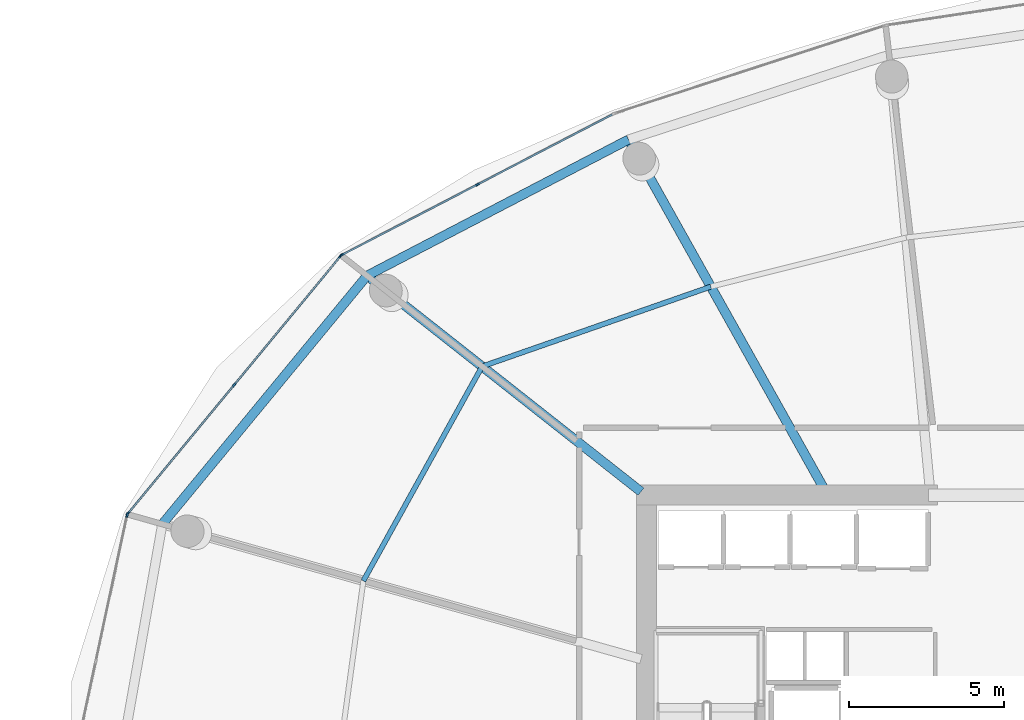
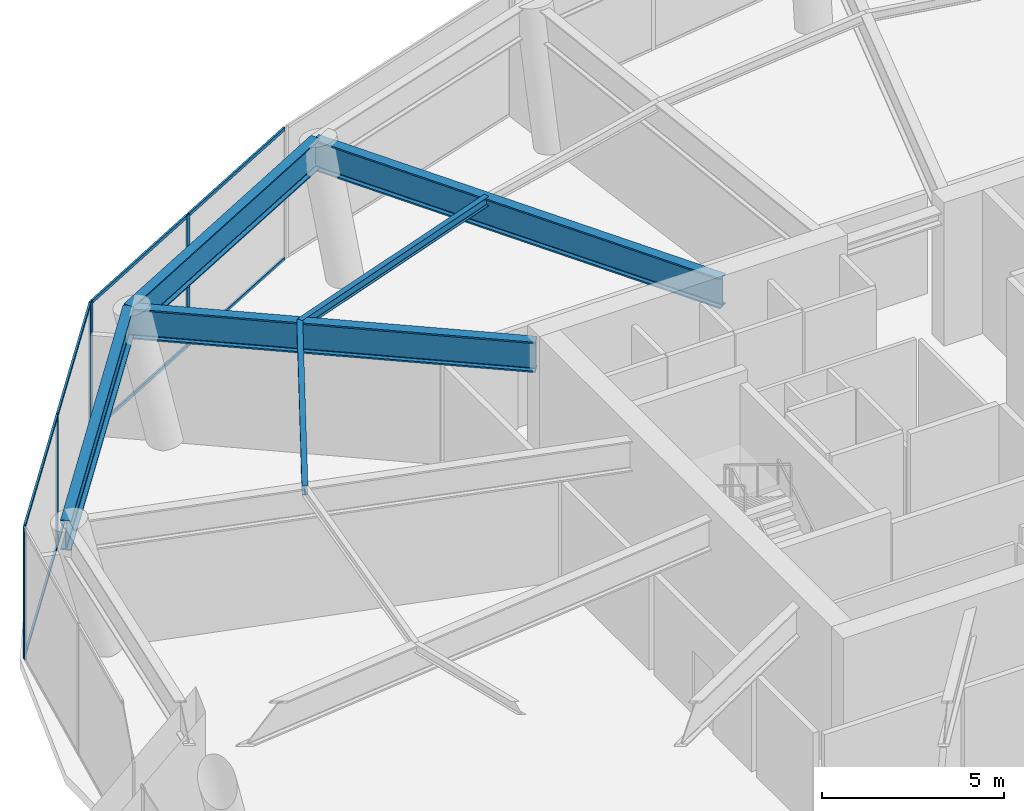
# One storey, part 11 of 22: 14 members, 6 beams, 3 elements without a shape of their own.
"""IFC4 building model written with IfcOpenShell, lengths in metres."""

import ifcopenshell
import ifcopenshell.guid

model = None  # the IFC model being written
_history = None  # IfcOwnerHistory: only IFC2X3 demands one
_inside = {}  # id of a spatial element -> (the spatial element, [elements in it])
_under = {}  # id of a project, library or spatial element -> (it, [spatial elements below it])
_declared = {}  # id of a project -> (the project, [libraries it declares])
_typed = {}  # id of a type object -> (the type object, [elements of that type])
_made_of = {}  # id of a material, layer set ... -> (it, [elements and type objects made of it])


def new_model(schema):
    """Start an empty IFC model of exactly this schema.

    Asked for "IFC4X3", IfcOpenShell would pick the latest addendum, in which some entities
    have other attributes; the version numbers below select the first issue.
    IFC2X3 requires an IfcOwnerHistory on every rooted entity: one is made here for all.
    """
    global model, _history
    if schema == "IFC4X3":
        model = ifcopenshell.file(schema_version=(4, 3, 0, 0))
    else:
        model = ifcopenshell.file(schema=schema)
    _inside.clear()
    _under.clear()
    _declared.clear()
    _typed.clear()
    _made_of.clear()
    _history = None
    if model.schema == "IFC2X3":
        org = make("IfcOrganization", Name="unknown")
        user = make(
            "IfcPersonAndOrganization",
            ThePerson=make("IfcPerson", FamilyName="unknown"),
            TheOrganization=org,
        )
        app = make(
            "IfcApplication",
            ApplicationDeveloper=org,
            Version="unknown",
            ApplicationFullName="unknown",
            ApplicationIdentifier="unknown",
        )
        _history = make(
            "IfcOwnerHistory",
            OwningUser=user,
            OwningApplication=app,
            ChangeAction="ADDED",
            CreationDate=0,
        )
    return model


def make(cls, **values):
    """One entity of the class cls with the attributes given. An attribute that is None is left unset."""
    return model.create_entity(
        cls, **{name: value for name, value in values.items() if value is not None}
    )


def rooted(cls, **values):
    """An entity with a GlobalId (a new one), such as an element, a storey or a relation."""
    return make(cls, GlobalId=ifcopenshell.guid.new(), OwnerHistory=_history, **values)


def si_unit(unit_type, name, prefix=None):
    """IfcSIUnit, for example si_unit("LENGTHUNIT", "METRE", prefix="MILLI")."""
    return make("IfcSIUnit", UnitType=unit_type, Prefix=prefix, Name=name)


def assignment(units):
    """IfcUnitAssignment: the units of a project."""
    return None if units is None else make("IfcUnitAssignment", Units=units)


def point(xyz):
    """IfcCartesianPoint."""
    return None if xyz is None else make("IfcCartesianPoint", Coordinates=xyz)


def direction(xyz):
    """IfcDirection."""
    return None if xyz is None else make("IfcDirection", DirectionRatios=xyz)


def frame(location, z_axis=None, x_axis=None):
    """IfcAxis2Placement3D, a coordinate frame: its origin and axes. An axis left out is left unset."""
    return make(
        "IfcAxis2Placement3D",
        Location=point(location),
        Axis=direction(z_axis),
        RefDirection=direction(x_axis),
    )


def frame_2d(location, x_axis=None):
    """IfcAxis2Placement2D, a coordinate frame in the plane: its origin and x axis."""
    return make(
        "IfcAxis2Placement2D", Location=point(location), RefDirection=direction(x_axis)
    )


def origin():
    """The frame at (0, 0, 0) with its axes left unset."""
    return frame((0.0, 0.0, 0.0))


def origin_2d():
    """The frame at (0, 0) in the plane with its x axis left unset."""
    return frame_2d((0.0, 0.0))


def place(relative_to, where):
    """IfcLocalPlacement: puts the frame where relative to a parent placement (None: the world)."""
    return make(
        "IfcLocalPlacement", PlacementRelTo=relative_to, RelativePlacement=where
    )


def context(
    kind, dimensions, precision=None, world=None, true_north=None, identifier=None
):
    """IfcGeometricRepresentationContext, for example the 3D "Model" context."""
    return make(
        "IfcGeometricRepresentationContext",
        ContextIdentifier=identifier,
        ContextType=kind,
        CoordinateSpaceDimension=dimensions,
        Precision=precision,
        WorldCoordinateSystem=world,
        TrueNorth=true_north,
    )


def subcontext(parent, identifier, kind, view, scale=None):
    """IfcGeometricRepresentationSubContext, for example "Body" below "Model"."""
    return make(
        "IfcGeometricRepresentationSubContext",
        ContextIdentifier=identifier,
        ContextType=kind,
        ParentContext=parent,
        TargetScale=scale,
        TargetView=view,
    )


def project(units=None, contexts=None):
    """IfcProject with its units and contexts."""
    return rooted(
        "IfcProject",
        Name="project",
        RepresentationContexts=contexts,
        UnitsInContext=assignment(units),
    )


def spatial(cls, under=None, at=None, **own):
    """A site, building, storey or space (cls), placed at a placement, below another one or the project."""
    s = rooted(cls, ObjectPlacement=at, **own)
    if under is not None:
        _under.setdefault(under.id(), (under, []))[1].append(s)
    return s


def profile(cls, at=None, kind="AREA", **sizes):
    """A parametric profile (cls). Its sizes go by their IFC names, for example OverallWidth=200.0."""
    return make(cls, ProfileType=kind, Position=at, **sizes)


def rectangle(**sizes):
    """IfcRectangleProfileDef."""
    return profile("IfcRectangleProfileDef", **sizes)


def i_section(**sizes):
    """IfcIShapeProfileDef."""
    return profile("IfcIShapeProfileDef", **sizes)


def extrude(swept, where, along, depth):
    """IfcExtrudedAreaSolid: the profile swept, set in the frame where, extruded along a direction by depth."""
    return make(
        "IfcExtrudedAreaSolid",
        SweptArea=swept,
        Position=where,
        ExtrudedDirection=direction(along),
        Depth=depth,
    )


def shape(context_of_items, identifier, shape_type, items):
    """IfcShapeRepresentation: the items that make up one representation, for example the "Body"."""
    return make(
        "IfcShapeRepresentation",
        ContextOfItems=context_of_items,
        RepresentationIdentifier=identifier,
        RepresentationType=shape_type,
        Items=items,
    )


def material(Name=None, Category=None):
    """IfcMaterial."""
    return make("IfcMaterial", Name=Name, Category=Category)


def layer(
    of_material, thickness, ventilated=None, Name=None, Category=None, Priority=None
):
    """IfcMaterialLayer: one layer of a wall or slab, of a material (None: an air gap)."""
    return make(
        "IfcMaterialLayer",
        Material=of_material,
        LayerThickness=thickness,
        IsVentilated=ventilated,
        Name=Name,
        Category=Category,
        Priority=Priority,
    )


def layer_set(layers, Name=None):
    """IfcMaterialLayerSet."""
    return make("IfcMaterialLayerSet", MaterialLayers=layers, LayerSetName=Name)


def material_profile(
    of_material, cross_section, Name=None, Category=None, Priority=None
):
    """IfcMaterialProfile: a cross section and its material."""
    return make(
        "IfcMaterialProfile",
        Name=Name,
        Material=of_material,
        Profile=cross_section,
        Priority=Priority,
        Category=Category,
    )


def profile_set(profiles, Name=None, composite=None):
    """IfcMaterialProfileSet."""
    return make(
        "IfcMaterialProfileSet",
        Name=Name,
        MaterialProfiles=profiles,
        CompositeProfile=composite,
    )


def made_of(thing, what):
    """Note that an element or type object is made of a material, layer set ...; save() writes the relation."""
    if what is not None:
        _made_of.setdefault(what.id(), (what, []))[1].append(thing)
    return thing


def type_object(cls, material=None, **own):
    """A type object (cls), such as IfcWallType, which elements share."""
    return made_of(rooted(cls, **own), material)


def element(
    cls,
    number,
    at=None,
    inside=None,
    cuts=None,
    type_object=None,
    material=None,
    context=None,
    identifier="Body",
    shape_type=None,
    held_by="IfcProductDefinitionShape",
    body=None,
    shapes=None,
    **own,
):
    """One element of the class cls, such as IfcWall. Its Tag is "e" and its number.

    at: its placement. inside: the storey or other place that contains it. cuts: it is an
    opening in that element (IfcRelVoidsElement). A single representation is given by context,
    identifier, shape_type and body (its items); several are given by shapes. held_by: the class
    of the entity that holds the representations. save() writes the other relations.
    """
    e = rooted(cls, Tag="e%d" % number, ObjectPlacement=at, **own)
    if body is not None:
        shapes = [shape(context, identifier, shape_type, body)]
    if shapes is not None:
        e.Representation = make(held_by, Representations=shapes)
    if inside is not None:
        _inside.setdefault(inside.id(), (inside, []))[1].append(e)
    if cuts is not None:
        rooted(
            "IfcRelVoidsElement", RelatingBuildingElement=cuts, RelatedOpeningElement=e
        )
    if type_object is not None:
        _typed.setdefault(type_object.id(), (type_object, []))[1].append(e)
    return made_of(e, material)


def aggregate(whole, parts):
    """IfcRelAggregates: a whole, such as a stair, and the parts it consists of."""
    return rooted("IfcRelAggregates", RelatingObject=whole, RelatedObjects=parts)


def save(model, path):
    """Write the relations noted so far, then the file.

    IfcRelAggregates (storeys below a building ...), IfcRelContainedInSpatialStructure (elements
    in a storey), IfcRelDefinesByType, IfcRelAssociatesMaterial and IfcRelDeclares: one each for
    every whole, place, type object, material and project.
    """
    for whole, parts in _under.values():
        aggregate(whole, parts)
    for where, things in _inside.values():
        rooted(
            "IfcRelContainedInSpatialStructure",
            RelatedElements=things,
            RelatingStructure=where,
        )
    for kind, things in _typed.values():
        rooted("IfcRelDefinesByType", RelatedObjects=things, RelatingType=kind)
    for what, things in _made_of.values():
        rooted("IfcRelAssociatesMaterial", RelatedObjects=things, RelatingMaterial=what)
    for by, libraries in _declared.values():
        rooted("IfcRelDeclares", RelatingContext=by, RelatedDefinitions=libraries)
    model.write(path)


model = new_model("IFC4")

# Units and contexts
model_context = context("Model", 3, precision=1e-05, world=origin(), true_north=direction((0.0, 1.0)))
body_context = subcontext(model_context, "Body", "Model", "MODEL_VIEW")
ifc_project = project(units=[si_unit("LENGTHUNIT", "METRE"), si_unit("AREAUNIT", "SQUARE_METRE"), si_unit("VOLUMEUNIT", "CUBIC_METRE"), si_unit("PLANEANGLEUNIT", "RADIAN"), si_unit("MASSUNIT", "GRAM", prefix="KILO")], contexts=[model_context])

# Site, building, storey
site_placement = place(None, origin())
site = spatial("IfcSite", under=ifc_project, at=site_placement, CompositionType="ELEMENT")
building_placement = place(site_placement, origin())
building = spatial("IfcBuilding", under=site, at=building_placement, Name="Kazma Halo Residences", CompositionType="ELEMENT")
storey_placement = place(building_placement, frame((0.0, 0.0, 231.89990234375)))
storey = spatial("IfcBuildingStorey", under=building, at=storey_placement, Name="L58", CompositionType="ELEMENT", Elevation=231.89990234375)

# Beams
ifc_material_1 = material(Name="Steel S355", Category="steel")
ifc_material_profile_1 = material_profile(ifc_material_1, i_section(OverallWidth=0.1650390625, OverallDepth=0.31005859375, WebThickness=0.005859375, FlangeThickness=0.009765625, FilletRadius=0.011962890625, at=origin_2d()), Name="W310x38.7")
ifc_profile_set_1 = profile_set([ifc_material_profile_1], Name="Steel S355")
beam_type_1 = type_object("IfcBeamType", Name="BM-SEC-W310B", PredefinedType="JOIST", material=ifc_profile_set_1)
beam_1_placement = place(storey_placement, frame((39.5595703125, 57.071533203125, 4.2451171875), z_axis=(-0.944181260085, -0.329426392545, 0.0), x_axis=(0.329426392545, -0.944181260085, 0.0)))
element("IfcBeam", 1, at=beam_1_placement, inside=storey, type_object=beam_type_1, Name="L58 circumferential floor joist 05", PredefinedType="JOIST", context=body_context, shape_type="SweptSolid", body=[
    extrude(i_section(OverallWidth=0.1650390625, OverallDepth=0.31005859375, WebThickness=0.005859375, FlangeThickness=0.009765625, FilletRadius=0.011962890625, at=origin_2d()), origin(), (0.0, 0.0, 1.0), 7.83935546875),
])
beam_2_placement = place(storey_placement, frame((32.15771484375, 54.489013671875, 4.2451171875), z_axis=(-0.484534259953, -0.874772285187, 0.0), x_axis=(0.874772285187, -0.484534259953, 0.0)))
element("IfcBeam", 2, at=beam_2_placement, inside=storey, type_object=beam_type_1, Name="L58 circumferential floor joist 06", PredefinedType="JOIST", context=body_context, shape_type="SweptSolid", body=[
    extrude(i_section(OverallWidth=0.1650390625, OverallDepth=0.31005859375, WebThickness=0.005859375, FlangeThickness=0.009765625, FilletRadius=0.011962890625, at=origin_2d()), origin(), (0.0, 0.0, 1.0), 7.930419921875),
])
ifc_material_profile_2 = material_profile(ifc_material_1, i_section(OverallWidth=0.302001953125, OverallDepth=1.01806640625, WebThickness=0.021484375, FlangeThickness=0.049072265625, FilletRadius=0.028076171875, at=origin_2d()), Name="W1000x443")
ifc_profile_set_2 = profile_set([ifc_material_profile_2], Name="Steel S355")
beam_type_2 = type_object("IfcBeamType", Name="BM-TRANS-W1000A", PredefinedType="BEAM", material=ifc_profile_set_2)
beam_3_placement = place(storey_placement, frame((43.23974609375, 50.5, 3.89111328125), z_axis=(-0.488617108357, 0.872498321729, 0.0), x_axis=(-0.872498321729, -0.488617108357, 0.0)))
element("IfcBeam", 3, at=beam_3_placement, inside=storey, type_object=beam_type_2, Name="L58 podium radial transfer girder 05", PredefinedType="BEAM", context=body_context, shape_type="SweptSolid", body=[
    extrude(i_section(OverallWidth=0.302001953125, OverallDepth=1.01806640625, WebThickness=0.021484375, FlangeThickness=0.049072265625, FilletRadius=0.028076171875, at=origin_2d()), origin(), (0.0, 0.0, 1.0), 12.986083984375),
])
beam_4_placement = place(storey_placement, frame((37.300048828125, 50.435302734375, 3.89111328125), z_axis=(-0.785319306502, 0.619090935837, 0.0), x_axis=(-0.619090935837, -0.785319306502, 0.0)))
element("IfcBeam", 4, at=beam_4_placement, inside=storey, type_object=beam_type_2, Name="L58 podium radial transfer girder 06", PredefinedType="BEAM", context=body_context, shape_type="SweptSolid", body=[
    extrude(i_section(OverallWidth=0.302001953125, OverallDepth=1.01806640625, WebThickness=0.021484375, FlangeThickness=0.049072265625, FilletRadius=0.028076171875, at=origin_2d()), origin(), (0.0, 0.0, 1.0), 11.2900390625),
])
ifc_material_profile_3 = material_profile(ifc_material_1, i_section(OverallWidth=0.300048828125, OverallDepth=1.0, WebThickness=0.01904296875, FlangeThickness=0.0400390625, FilletRadius=0.02587890625, at=origin_2d()), Name="W1000x371")
ifc_profile_set_3 = profile_set([ifc_material_profile_3], Name="Steel S355")
beam_type_3 = type_object("IfcBeamType", Name="BM-TRANS-W1000B", PredefinedType="BEAM", material=ifc_profile_set_3)
beam_5_placement = place(storey_placement, frame((36.89453125, 61.830322265625, 3.900146484375), z_axis=(-0.886961047115, -0.461844238788, 0.0), x_axis=(0.461844238788, -0.886961047115, 0.0)))
element("IfcBeam", 5, at=beam_5_placement, inside=storey, type_object=beam_type_3, Name="L58 perimeter ring beam 05", PredefinedType="BEAM", context=body_context, shape_type="SweptSolid", body=[
    extrude(i_section(OverallWidth=0.300048828125, OverallDepth=1.0, WebThickness=0.01904296875, FlangeThickness=0.0400390625, FilletRadius=0.02587890625, at=origin_2d()), origin(), (0.0, 0.0, 1.0), 9.5390625),
])
beam_6_placement = place(storey_placement, frame((28.433837890625, 57.4248046875, 3.900146484375), z_axis=(-0.636002144225, -0.771687289348, 0.0), x_axis=(0.771687289348, -0.636002144225, 0.0)))
element("IfcBeam", 6, at=beam_6_placement, inside=storey, type_object=beam_type_3, Name="L58 perimeter ring beam 06", PredefinedType="BEAM", context=body_context, shape_type="SweptSolid", body=[
    extrude(i_section(OverallWidth=0.300048828125, OverallDepth=1.0, WebThickness=0.01904296875, FlangeThickness=0.0400390625, FilletRadius=0.02587890625, at=origin_2d()), origin(), (0.0, 0.0, 1.0), 10.416259765625),
])

# Curtain wall, members
ifc_material_2 = material(Name="Aluminium AW-6063 T6 and Triple-Silver Low-E Glass", Category="aluminium")
ifc_layer = layer(ifc_material_2, 0.139892578125)
ifc_layer_set = layer_set([ifc_layer], Name="Aluminium AW-6063 T6 and Triple-Silver Low-E Glass")
curtain_wall_type = type_object("IfcCurtainWallType", Name="CW-SYS-5", PredefinedType="NOTDEFINED", material=ifc_layer_set)
curtain_wall_1_placement = place(storey_placement, origin())
curtain_wall_1 = element("IfcCurtainWall", 7, at=curtain_wall_1_placement, inside=storey, type_object=curtain_wall_type, Name="L58 unitised curtain wall B05", PredefinedType="NOTDEFINED")
ifc_material_3 = material(Name="Aluminium AW-6063 T6", Category="aluminium")
ifc_material_profile_4 = material_profile(ifc_material_3, rectangle(XDim=0.06005859375, YDim=0.139892578125, at=origin_2d()), Name="CWM-60x140")
ifc_profile_set_4 = profile_set([ifc_material_profile_4], Name="Aluminium AW-6063 T6")
member_type_1 = type_object("IfcMemberType", Name="CW-SYS-5-MUL", PredefinedType="MULLION", material=ifc_profile_set_4)
member_1_placement = place(storey_placement, frame((32.0107421875, 60.376953125, 0.0), z_axis=(0.0, 0.0, 1.0), x_axis=(0.460917138163, -0.88744317663, 0.0)))
member_1 = element("IfcMember", 8, at=member_1_placement, type_object=member_type_1, Name="CWS-5 mullion 2", PredefinedType="MULLION", context=body_context, shape_type="SweptSolid", body=[
    extrude(rectangle(XDim=0.06005859375, YDim=0.139892578125, at=origin_2d()), origin(), (0.0, 0.0, 1.0), 4.400146484375),
])
member_2_placement = place(storey_placement, frame((27.62353515625, 58.098388671875, 0.0), z_axis=(0.0, 0.0, 1.0), x_axis=(0.460917138163, -0.88744317663, 0.0)))
member_2 = element("IfcMember", 9, at=member_2_placement, type_object=member_type_1, Name="CWS-5 mullion 3", PredefinedType="MULLION", context=body_context, shape_type="SweptSolid", body=[
    extrude(rectangle(XDim=0.06005859375, YDim=0.139892578125, at=origin_2d()), origin(), (0.0, 0.0, 1.0), 4.400146484375),
])

curtain_wall_2_placement = place(storey_placement, origin())
curtain_wall_2 = element("IfcCurtainWall", 10, at=curtain_wall_2_placement, inside=storey, type_object=curtain_wall_type, Name="L58 unitised curtain wall B06", PredefinedType="NOTDEFINED")
member_3_placement = place(storey_placement, frame((27.57763671875, 58.0615234375, 0.0), z_axis=(0.0, 0.0, 1.0), x_axis=(0.77109198952, -0.636723757762, 0.0)))
member_3 = element("IfcMember", 11, at=member_3_placement, type_object=member_type_1, Name="CWS-5 mullion 1", PredefinedType="MULLION", context=body_context, shape_type="SweptSolid", body=[
    extrude(rectangle(XDim=0.06005859375, YDim=0.139892578125, at=origin_2d()), origin(), (0.0, 0.0, 1.0), 4.400146484375),
])
member_4_placement = place(storey_placement, frame((24.137451171875, 53.89501953125, 0.0), z_axis=(0.0, 0.0, 1.0), x_axis=(0.77109198952, -0.636723757762, 0.0)))
member_4 = element("IfcMember", 12, at=member_4_placement, type_object=member_type_1, Name="CWS-5 mullion 2", PredefinedType="MULLION", context=body_context, shape_type="SweptSolid", body=[
    extrude(rectangle(XDim=0.06005859375, YDim=0.139892578125, at=origin_2d()), origin(), (0.0, 0.0, 1.0), 4.400146484375),
])
member_5_placement = place(storey_placement, frame((20.697021484375, 49.728759765625, 0.0), z_axis=(0.0, 0.0, 1.0), x_axis=(0.77109198952, -0.636723757762, 0.0)))
member_5 = element("IfcMember", 13, at=member_5_placement, type_object=member_type_1, Name="CWS-5 mullion 3", PredefinedType="MULLION", context=body_context, shape_type="SweptSolid", body=[
    extrude(rectangle(XDim=0.06005859375, YDim=0.139892578125, at=origin_2d()), origin(), (0.0, 0.0, 1.0), 4.400146484375),
])

# Curtain wall, member
curtain_wall_3_placement = place(storey_placement, origin())
curtain_wall_3 = element("IfcCurtainWall", 14, at=curtain_wall_3_placement, inside=storey, type_object=curtain_wall_type, Name="L58 unitised curtain wall B07", PredefinedType="NOTDEFINED")
member_6_placement = place(storey_placement, frame((20.671630859375, 49.67626953125, 0.0), z_axis=(0.0, 0.0, 1.0), x_axis=(0.977772667302, -0.209667858949, 0.0)))
member_6 = element("IfcMember", 15, at=member_6_placement, type_object=member_type_1, Name="CWS-5 mullion 1", PredefinedType="MULLION", context=body_context, shape_type="SweptSolid", body=[
    extrude(rectangle(XDim=0.06005859375, YDim=0.139892578125, at=origin_2d()), origin(), (0.0, 0.0, 1.0), 4.400146484375),
])
aggregate(curtain_wall_3, [member_6])

# Member
ifc_material_profile_5 = material_profile(ifc_material_3, rectangle(XDim=0.06005859375, YDim=0.10498046875, at=origin_2d()), Name="CWT-60x105")
ifc_profile_set_5 = profile_set([ifc_material_profile_5], Name="Aluminium AW-6063 T6")
member_type_2 = type_object("IfcMemberType", Name="CW-SYS-5-TRN", PredefinedType="USERDEFINED", material=ifc_profile_set_5)
member_7_placement = place(storey_placement, frame((36.371337890625, 62.641845703125, 0.030029296875), z_axis=(-0.88744259939, -0.460918249571, 0.0), x_axis=(0.460918249571, -0.88744259939, 0.0)))
member_7 = element("IfcMember", 16, at=member_7_placement, type_object=member_type_2, Name="CWS-5 transom 1.1", ObjectType="TRANSOM", PredefinedType="USERDEFINED", context=body_context, shape_type="SweptSolid", body=[
    extrude(rectangle(XDim=0.06005859375, YDim=0.10498046875, at=origin_2d()), origin(), (0.0, 0.0, 1.0), 4.8837890625),
])

member_8_placement = place(storey_placement, frame((36.371337890625, 62.641845703125, 4.3701171875), z_axis=(-0.88744259939, -0.460918249571, 0.0), x_axis=(0.460918249571, -0.88744259939, 0.0)))
member_8 = element("IfcMember", 17, at=member_8_placement, type_object=member_type_2, Name="CWS-5 transom 1.2", ObjectType="TRANSOM", PredefinedType="USERDEFINED", context=body_context, shape_type="SweptSolid", body=[
    extrude(rectangle(XDim=0.06005859375, YDim=0.10498046875, at=origin_2d()), origin(), (0.0, 0.0, 1.0), 4.8837890625),
])

member_9_placement = place(storey_placement, frame((31.984130859375, 60.36328125, 0.030029296875), z_axis=(-0.88744259939, -0.460918249571, 0.0), x_axis=(0.460918249571, -0.88744259939, 0.0)))
member_9 = element("IfcMember", 18, at=member_9_placement, type_object=member_type_2, Name="CWS-5 transom 2.1", ObjectType="TRANSOM", PredefinedType="USERDEFINED", context=body_context, shape_type="SweptSolid", body=[
    extrude(rectangle(XDim=0.06005859375, YDim=0.10498046875, at=origin_2d()), origin(), (0.0, 0.0, 1.0), 4.8837890625),
])

member_10_placement = place(storey_placement, frame((31.984130859375, 60.36328125, 4.3701171875), z_axis=(-0.88744259939, -0.460918249571, 0.0), x_axis=(0.460918249571, -0.88744259939, 0.0)))
member_10 = element("IfcMember", 19, at=member_10_placement, type_object=member_type_2, Name="CWS-5 transom 2.2", ObjectType="TRANSOM", PredefinedType="USERDEFINED", context=body_context, shape_type="SweptSolid", body=[
    extrude(rectangle(XDim=0.06005859375, YDim=0.10498046875, at=origin_2d()), origin(), (0.0, 0.0, 1.0), 4.8837890625),
])

aggregate(curtain_wall_1, [member_1, member_2, member_7, member_8, member_9, member_10])

member_11_placement = place(storey_placement, frame((27.55859375, 58.038330078125, 0.030029296875), z_axis=(-0.636717300924, -0.771097321162, 0.0), x_axis=(0.771097321162, -0.636717300924, 0.0)))
member_11 = element("IfcMember", 20, at=member_11_placement, type_object=member_type_2, Name="CWS-5 transom 1.1", ObjectType="TRANSOM", PredefinedType="USERDEFINED", context=body_context, shape_type="SweptSolid", body=[
    extrude(rectangle(XDim=0.06005859375, YDim=0.10498046875, at=origin_2d()), origin(), (0.0, 0.0, 1.0), 5.34326171875),
])

member_12_placement = place(storey_placement, frame((27.55859375, 58.038330078125, 4.3701171875), z_axis=(-0.636717300924, -0.771097321162, 0.0), x_axis=(0.771097321162, -0.636717300924, 0.0)))
member_12 = element("IfcMember", 21, at=member_12_placement, type_object=member_type_2, Name="CWS-5 transom 1.2", ObjectType="TRANSOM", PredefinedType="USERDEFINED", context=body_context, shape_type="SweptSolid", body=[
    extrude(rectangle(XDim=0.06005859375, YDim=0.10498046875, at=origin_2d()), origin(), (0.0, 0.0, 1.0), 5.34326171875),
])

member_13_placement = place(storey_placement, frame((24.1181640625, 53.8720703125, 0.030029296875), z_axis=(-0.636717300924, -0.771097321162, 0.0), x_axis=(0.771097321162, -0.636717300924, 0.0)))
member_13 = element("IfcMember", 22, at=member_13_placement, type_object=member_type_2, Name="CWS-5 transom 2.1", ObjectType="TRANSOM", PredefinedType="USERDEFINED", context=body_context, shape_type="SweptSolid", body=[
    extrude(rectangle(XDim=0.06005859375, YDim=0.10498046875, at=origin_2d()), origin(), (0.0, 0.0, 1.0), 5.34326171875),
])

member_14_placement = place(storey_placement, frame((24.1181640625, 53.8720703125, 4.3701171875), z_axis=(-0.636717300924, -0.771097321162, 0.0), x_axis=(0.771097321162, -0.636717300924, 0.0)))
member_14 = element("IfcMember", 23, at=member_14_placement, type_object=member_type_2, Name="CWS-5 transom 2.2", ObjectType="TRANSOM", PredefinedType="USERDEFINED", context=body_context, shape_type="SweptSolid", body=[
    extrude(rectangle(XDim=0.06005859375, YDim=0.10498046875, at=origin_2d()), origin(), (0.0, 0.0, 1.0), 5.34326171875),
])

aggregate(curtain_wall_2, [member_3, member_4, member_5, member_11, member_12, member_13, member_14])

save(model, "model.ifc")
